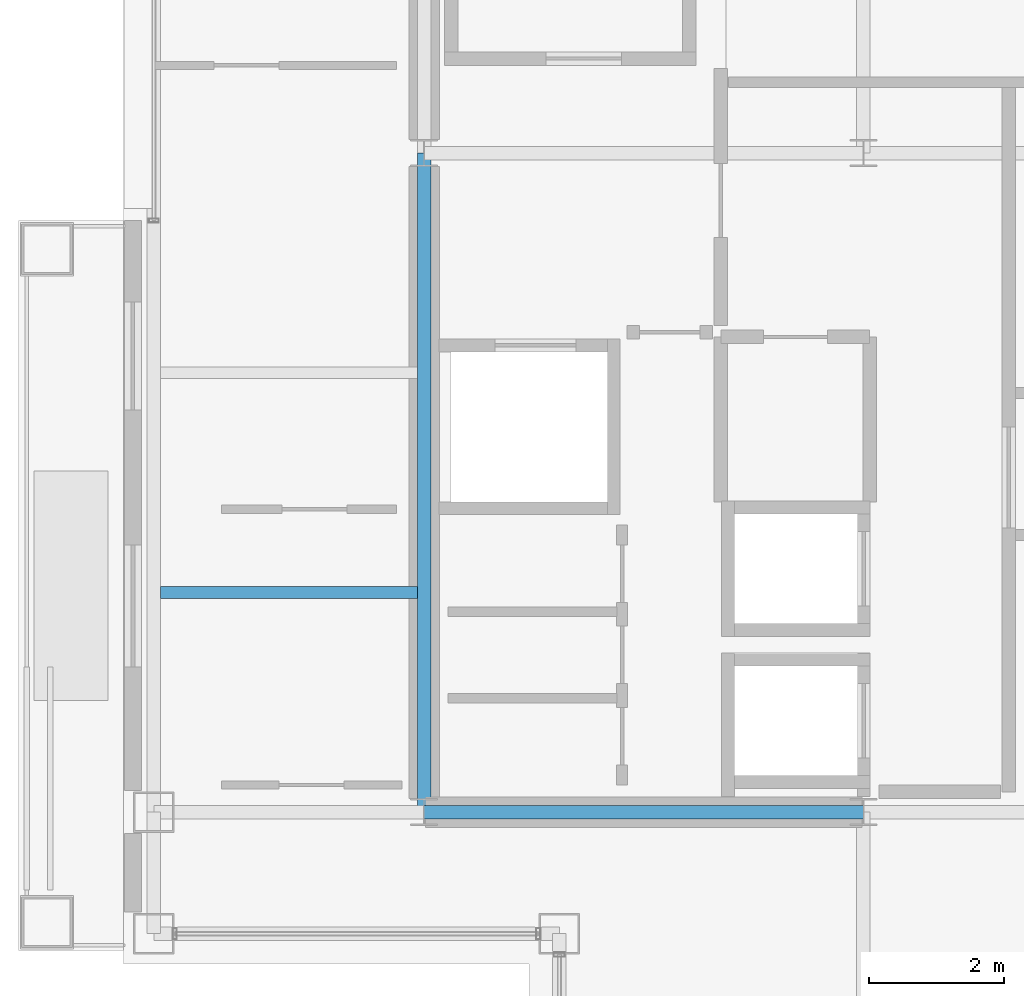
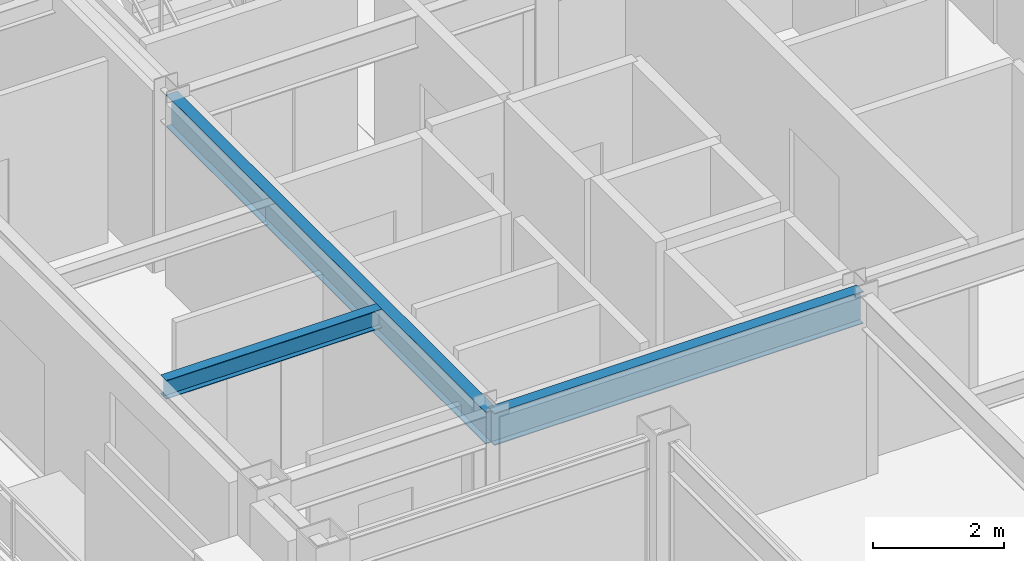
# One storey, part 4 of 24: 3 beams.
"""IFC4 building model written with IfcOpenShell, lengths in metres."""

import ifcopenshell
import ifcopenshell.guid

model = None  # the IFC model being written
_history = None  # IfcOwnerHistory: only IFC2X3 demands one
_inside = {}  # id of a spatial element -> (the spatial element, [elements in it])
_under = {}  # id of a project, library or spatial element -> (it, [spatial elements below it])
_declared = {}  # id of a project -> (the project, [libraries it declares])
_typed = {}  # id of a type object -> (the type object, [elements of that type])
_made_of = {}  # id of a material, layer set ... -> (it, [elements and type objects made of it])


def new_model(schema):
    """Start an empty IFC model of exactly this schema.

    Asked for "IFC4X3", IfcOpenShell would pick the latest addendum, in which some entities
    have other attributes; the version numbers below select the first issue.
    IFC2X3 requires an IfcOwnerHistory on every rooted entity: one is made here for all.
    """
    global model, _history
    if schema == "IFC4X3":
        model = ifcopenshell.file(schema_version=(4, 3, 0, 0))
    else:
        model = ifcopenshell.file(schema=schema)
    _inside.clear()
    _under.clear()
    _declared.clear()
    _typed.clear()
    _made_of.clear()
    _history = None
    if model.schema == "IFC2X3":
        org = make("IfcOrganization", Name="unknown")
        user = make(
            "IfcPersonAndOrganization",
            ThePerson=make("IfcPerson", FamilyName="unknown"),
            TheOrganization=org,
        )
        app = make(
            "IfcApplication",
            ApplicationDeveloper=org,
            Version="unknown",
            ApplicationFullName="unknown",
            ApplicationIdentifier="unknown",
        )
        _history = make(
            "IfcOwnerHistory",
            OwningUser=user,
            OwningApplication=app,
            ChangeAction="ADDED",
            CreationDate=0,
        )
    return model


def make(cls, **values):
    """One entity of the class cls with the attributes given. An attribute that is None is left unset."""
    return model.create_entity(
        cls, **{name: value for name, value in values.items() if value is not None}
    )


def rooted(cls, **values):
    """An entity with a GlobalId (a new one), such as an element, a storey or a relation."""
    return make(cls, GlobalId=ifcopenshell.guid.new(), OwnerHistory=_history, **values)


def si_unit(unit_type, name, prefix=None):
    """IfcSIUnit, for example si_unit("LENGTHUNIT", "METRE", prefix="MILLI")."""
    return make("IfcSIUnit", UnitType=unit_type, Prefix=prefix, Name=name)


def assignment(units):
    """IfcUnitAssignment: the units of a project."""
    return None if units is None else make("IfcUnitAssignment", Units=units)


def point(xyz):
    """IfcCartesianPoint."""
    return None if xyz is None else make("IfcCartesianPoint", Coordinates=xyz)


def direction(xyz):
    """IfcDirection."""
    return None if xyz is None else make("IfcDirection", DirectionRatios=xyz)


def frame(location, z_axis=None, x_axis=None):
    """IfcAxis2Placement3D, a coordinate frame: its origin and axes. An axis left out is left unset."""
    return make(
        "IfcAxis2Placement3D",
        Location=point(location),
        Axis=direction(z_axis),
        RefDirection=direction(x_axis),
    )


def frame_2d(location, x_axis=None):
    """IfcAxis2Placement2D, a coordinate frame in the plane: its origin and x axis."""
    return make(
        "IfcAxis2Placement2D", Location=point(location), RefDirection=direction(x_axis)
    )


def origin():
    """The frame at (0, 0, 0) with its axes left unset."""
    return frame((0.0, 0.0, 0.0))


def origin_2d():
    """The frame at (0, 0) in the plane with its x axis left unset."""
    return frame_2d((0.0, 0.0))


def place(relative_to, where):
    """IfcLocalPlacement: puts the frame where relative to a parent placement (None: the world)."""
    return make(
        "IfcLocalPlacement", PlacementRelTo=relative_to, RelativePlacement=where
    )


def context(
    kind, dimensions, precision=None, world=None, true_north=None, identifier=None
):
    """IfcGeometricRepresentationContext, for example the 3D "Model" context."""
    return make(
        "IfcGeometricRepresentationContext",
        ContextIdentifier=identifier,
        ContextType=kind,
        CoordinateSpaceDimension=dimensions,
        Precision=precision,
        WorldCoordinateSystem=world,
        TrueNorth=true_north,
    )


def subcontext(parent, identifier, kind, view, scale=None):
    """IfcGeometricRepresentationSubContext, for example "Body" below "Model"."""
    return make(
        "IfcGeometricRepresentationSubContext",
        ContextIdentifier=identifier,
        ContextType=kind,
        ParentContext=parent,
        TargetScale=scale,
        TargetView=view,
    )


def project(units=None, contexts=None):
    """IfcProject with its units and contexts."""
    return rooted(
        "IfcProject",
        Name="project",
        RepresentationContexts=contexts,
        UnitsInContext=assignment(units),
    )


def spatial(cls, under=None, at=None, **own):
    """A site, building, storey or space (cls), placed at a placement, below another one or the project."""
    s = rooted(cls, ObjectPlacement=at, **own)
    if under is not None:
        _under.setdefault(under.id(), (under, []))[1].append(s)
    return s


def profile(cls, at=None, kind="AREA", **sizes):
    """A parametric profile (cls). Its sizes go by their IFC names, for example OverallWidth=200.0."""
    return make(cls, ProfileType=kind, Position=at, **sizes)


def i_section(**sizes):
    """IfcIShapeProfileDef."""
    return profile("IfcIShapeProfileDef", **sizes)


def extrude(swept, where, along, depth):
    """IfcExtrudedAreaSolid: the profile swept, set in the frame where, extruded along a direction by depth."""
    return make(
        "IfcExtrudedAreaSolid",
        SweptArea=swept,
        Position=where,
        ExtrudedDirection=direction(along),
        Depth=depth,
    )


def shape(context_of_items, identifier, shape_type, items):
    """IfcShapeRepresentation: the items that make up one representation, for example the "Body"."""
    return make(
        "IfcShapeRepresentation",
        ContextOfItems=context_of_items,
        RepresentationIdentifier=identifier,
        RepresentationType=shape_type,
        Items=items,
    )


def material(Name=None, Category=None):
    """IfcMaterial."""
    return make("IfcMaterial", Name=Name, Category=Category)


def material_profile(
    of_material, cross_section, Name=None, Category=None, Priority=None
):
    """IfcMaterialProfile: a cross section and its material."""
    return make(
        "IfcMaterialProfile",
        Name=Name,
        Material=of_material,
        Profile=cross_section,
        Priority=Priority,
        Category=Category,
    )


def profile_set(profiles, Name=None, composite=None):
    """IfcMaterialProfileSet."""
    return make(
        "IfcMaterialProfileSet",
        Name=Name,
        MaterialProfiles=profiles,
        CompositeProfile=composite,
    )


def made_of(thing, what):
    """Note that an element or type object is made of a material, layer set ...; save() writes the relation."""
    if what is not None:
        _made_of.setdefault(what.id(), (what, []))[1].append(thing)
    return thing


def type_object(cls, material=None, **own):
    """A type object (cls), such as IfcWallType, which elements share."""
    return made_of(rooted(cls, **own), material)


def element(
    cls,
    number,
    at=None,
    inside=None,
    cuts=None,
    type_object=None,
    material=None,
    context=None,
    identifier="Body",
    shape_type=None,
    held_by="IfcProductDefinitionShape",
    body=None,
    shapes=None,
    **own,
):
    """One element of the class cls, such as IfcWall. Its Tag is "e" and its number.

    at: its placement. inside: the storey or other place that contains it. cuts: it is an
    opening in that element (IfcRelVoidsElement). A single representation is given by context,
    identifier, shape_type and body (its items); several are given by shapes. held_by: the class
    of the entity that holds the representations. save() writes the other relations.
    """
    e = rooted(cls, Tag="e%d" % number, ObjectPlacement=at, **own)
    if body is not None:
        shapes = [shape(context, identifier, shape_type, body)]
    if shapes is not None:
        e.Representation = make(held_by, Representations=shapes)
    if inside is not None:
        _inside.setdefault(inside.id(), (inside, []))[1].append(e)
    if cuts is not None:
        rooted(
            "IfcRelVoidsElement", RelatingBuildingElement=cuts, RelatedOpeningElement=e
        )
    if type_object is not None:
        _typed.setdefault(type_object.id(), (type_object, []))[1].append(e)
    return made_of(e, material)


def aggregate(whole, parts):
    """IfcRelAggregates: a whole, such as a stair, and the parts it consists of."""
    return rooted("IfcRelAggregates", RelatingObject=whole, RelatedObjects=parts)


def save(model, path):
    """Write the relations noted so far, then the file.

    IfcRelAggregates (storeys below a building ...), IfcRelContainedInSpatialStructure (elements
    in a storey), IfcRelDefinesByType, IfcRelAssociatesMaterial and IfcRelDeclares: one each for
    every whole, place, type object, material and project.
    """
    for whole, parts in _under.values():
        aggregate(whole, parts)
    for where, things in _inside.values():
        rooted(
            "IfcRelContainedInSpatialStructure",
            RelatedElements=things,
            RelatingStructure=where,
        )
    for kind, things in _typed.values():
        rooted("IfcRelDefinesByType", RelatedObjects=things, RelatingType=kind)
    for what, things in _made_of.values():
        rooted("IfcRelAssociatesMaterial", RelatedObjects=things, RelatingMaterial=what)
    for by, libraries in _declared.values():
        rooted("IfcRelDeclares", RelatingContext=by, RelatedDefinitions=libraries)
    model.write(path)


model = new_model("IFC4")

# Units and contexts
model_context = context("Model", 3, precision=1e-05, world=origin(), true_north=direction((0.0, 1.0)))
body_context = subcontext(model_context, "Body", "Model", "MODEL_VIEW")
ifc_project = project(units=[si_unit("LENGTHUNIT", "METRE"), si_unit("AREAUNIT", "SQUARE_METRE"), si_unit("VOLUMEUNIT", "CUBIC_METRE"), si_unit("PLANEANGLEUNIT", "RADIAN"), si_unit("MASSUNIT", "GRAM", prefix="KILO")], contexts=[model_context])

# Site, building, storey
site_placement = place(None, origin())
site = spatial("IfcSite", under=ifc_project, at=site_placement, CompositionType="ELEMENT")
building_placement = place(site_placement, origin())
building = spatial("IfcBuilding", under=site, at=building_placement, Name="Brelmoor Portico Tower", CompositionType="ELEMENT")
storey_placement = place(building_placement, frame((0.0, 0.0, 261.60009765625)))
storey = spatial("IfcBuildingStorey", under=building, at=storey_placement, Name="L69", CompositionType="ELEMENT", Elevation=261.60009765625)

# Beams
ifc_material = material(Name="Steel Q355B", Category="steel")
ifc_material_profile_1 = material_profile(ifc_material, i_section(OverallWidth=0.175048828125, OverallDepth=0.35009765625, WebThickness=0.007080078125, FlangeThickness=0.010986328125, at=origin_2d()), Name="HN 350x175x7x11")
ifc_profile_set_1 = profile_set([ifc_material_profile_1], Name="Steel Q355B")
beam_type_1 = type_object("IfcBeamType", Name="BM-JS-350", PredefinedType="JOIST", material=ifc_profile_set_1)
beam_1_placement = place(storey_placement, frame((-18.449951171875, -6.5, 3.224853515625), z_axis=(1.0, 0.0, 0.0), x_axis=(0.0, 1.0, 0.0)))
element("IfcBeam", 1, at=beam_1_placement, inside=storey, type_object=beam_type_1, Name="L69 Secondary Wing Joist JS-W07", PredefinedType="JOIST", context=body_context, shape_type="SweptSolid", body=[
    extrude(i_section(OverallWidth=0.175048828125, OverallDepth=0.35009765625, WebThickness=0.007080078125, FlangeThickness=0.010986328125, at=origin_2d()), origin(), (0.0, 0.0, 1.0), 3.800048828125),
])
ifc_material_profile_2 = material_profile(ifc_material, i_section(OverallWidth=0.199951171875, OverallDepth=0.60009765625, WebThickness=0.010986328125, FlangeThickness=0.01708984375, at=origin_2d()), Name="HN 600x200x11x17")
ifc_profile_set_2 = profile_set([ifc_material_profile_2], Name="Steel Q355B")
beam_type_2 = type_object("IfcBeamType", Name="BM-PG-600", PredefinedType="BEAM", material=ifc_profile_set_2)
beam_2_placement = place(storey_placement, frame((-14.550048828125, -9.75, 3.099853515625), z_axis=(0.0, 1.0, 0.0), x_axis=(-1.0, 0.0, 0.0)))
element("IfcBeam", 2, at=beam_2_placement, inside=storey, type_object=beam_type_2, Name="L69 Primary Floor Girder PG-01", PredefinedType="BEAM", context=body_context, shape_type="SweptSolid", body=[
    extrude(i_section(OverallWidth=0.199951171875, OverallDepth=0.60009765625, WebThickness=0.010986328125, FlangeThickness=0.01708984375, at=origin_2d()), origin(), (0.0, 0.0, 1.0), 9.75),
])
beam_3_placement = place(storey_placement, frame((-14.550048828125, -9.75, 3.099853515625), z_axis=(1.0, 0.0, 0.0), x_axis=(0.0, 1.0, 0.0)))
element("IfcBeam", 3, at=beam_3_placement, inside=storey, type_object=beam_type_2, Name="L69 Primary Floor Girder PG-12", PredefinedType="BEAM", context=body_context, shape_type="SweptSolid", body=[
    extrude(i_section(OverallWidth=0.199951171875, OverallDepth=0.60009765625, WebThickness=0.010986328125, FlangeThickness=0.01708984375, at=origin_2d()), origin(), (0.0, 0.0, 1.0), 6.5),
])

save(model, "model.ifc")
